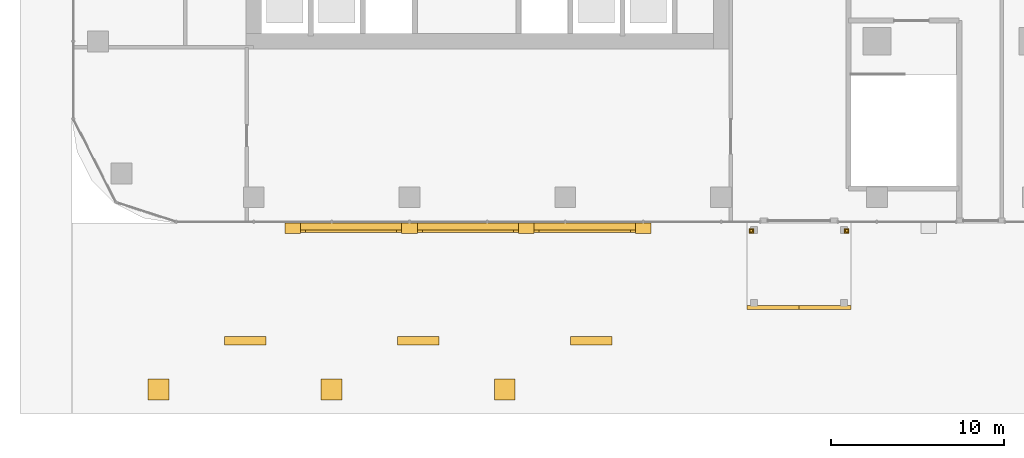
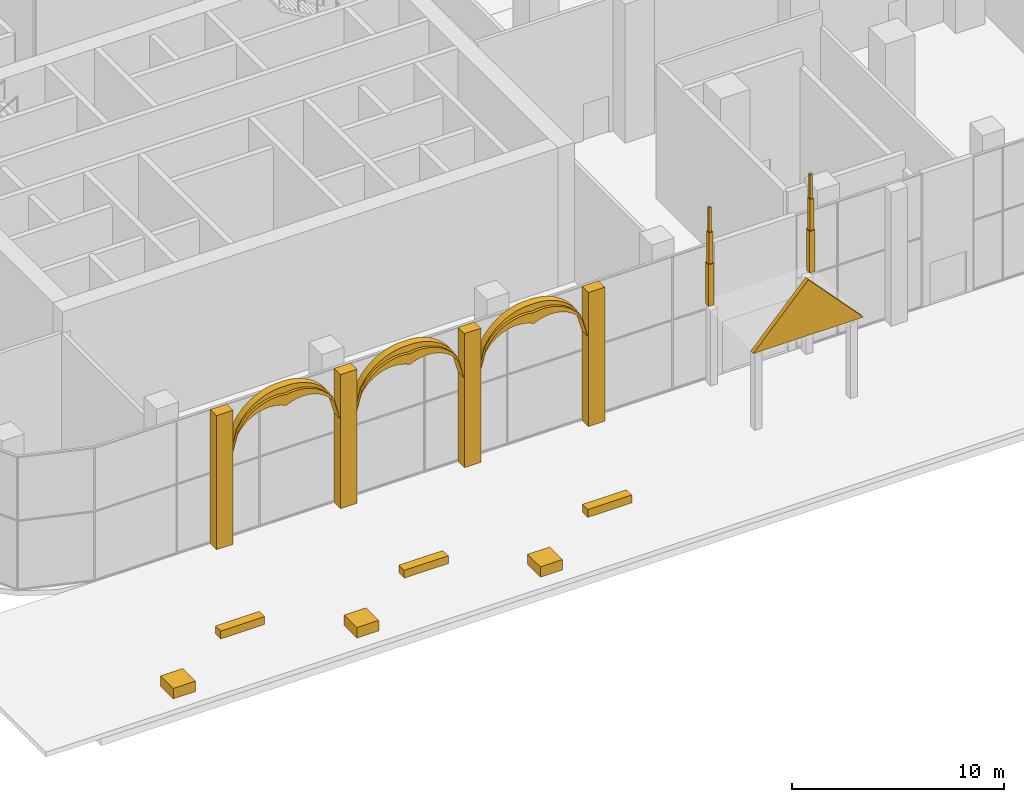
# One storey, part 44 of 54: 23 coverings.
"""IFC4 building model written with IfcOpenShell, lengths in metres."""

import ifcopenshell
import ifcopenshell.guid

model = None  # the IFC model being written
_history = None  # IfcOwnerHistory: only IFC2X3 demands one
_inside = {}  # id of a spatial element -> (the spatial element, [elements in it])
_under = {}  # id of a project, library or spatial element -> (it, [spatial elements below it])
_declared = {}  # id of a project -> (the project, [libraries it declares])
_typed = {}  # id of a type object -> (the type object, [elements of that type])
_made_of = {}  # id of a material, layer set ... -> (it, [elements and type objects made of it])


def new_model(schema):
    """Start an empty IFC model of exactly this schema.

    Asked for "IFC4X3", IfcOpenShell would pick the latest addendum, in which some entities
    have other attributes; the version numbers below select the first issue.
    IFC2X3 requires an IfcOwnerHistory on every rooted entity: one is made here for all.
    """
    global model, _history
    if schema == "IFC4X3":
        model = ifcopenshell.file(schema_version=(4, 3, 0, 0))
    else:
        model = ifcopenshell.file(schema=schema)
    _inside.clear()
    _under.clear()
    _declared.clear()
    _typed.clear()
    _made_of.clear()
    _history = None
    if model.schema == "IFC2X3":
        org = make("IfcOrganization", Name="unknown")
        user = make(
            "IfcPersonAndOrganization",
            ThePerson=make("IfcPerson", FamilyName="unknown"),
            TheOrganization=org,
        )
        app = make(
            "IfcApplication",
            ApplicationDeveloper=org,
            Version="unknown",
            ApplicationFullName="unknown",
            ApplicationIdentifier="unknown",
        )
        _history = make(
            "IfcOwnerHistory",
            OwningUser=user,
            OwningApplication=app,
            ChangeAction="ADDED",
            CreationDate=0,
        )
    return model


def make(cls, **values):
    """One entity of the class cls with the attributes given. An attribute that is None is left unset."""
    return model.create_entity(
        cls, **{name: value for name, value in values.items() if value is not None}
    )


def rooted(cls, **values):
    """An entity with a GlobalId (a new one), such as an element, a storey or a relation."""
    return make(cls, GlobalId=ifcopenshell.guid.new(), OwnerHistory=_history, **values)


def si_unit(unit_type, name, prefix=None):
    """IfcSIUnit, for example si_unit("LENGTHUNIT", "METRE", prefix="MILLI")."""
    return make("IfcSIUnit", UnitType=unit_type, Prefix=prefix, Name=name)


def assignment(units):
    """IfcUnitAssignment: the units of a project."""
    return None if units is None else make("IfcUnitAssignment", Units=units)


def point(xyz):
    """IfcCartesianPoint."""
    return None if xyz is None else make("IfcCartesianPoint", Coordinates=xyz)


def direction(xyz):
    """IfcDirection."""
    return None if xyz is None else make("IfcDirection", DirectionRatios=xyz)


def frame(location, z_axis=None, x_axis=None):
    """IfcAxis2Placement3D, a coordinate frame: its origin and axes. An axis left out is left unset."""
    return make(
        "IfcAxis2Placement3D",
        Location=point(location),
        Axis=direction(z_axis),
        RefDirection=direction(x_axis),
    )


def frame_2d(location, x_axis=None):
    """IfcAxis2Placement2D, a coordinate frame in the plane: its origin and x axis."""
    return make(
        "IfcAxis2Placement2D", Location=point(location), RefDirection=direction(x_axis)
    )


def origin():
    """The frame at (0, 0, 0) with its axes left unset."""
    return frame((0.0, 0.0, 0.0))


def origin_2d():
    """The frame at (0, 0) in the plane with its x axis left unset."""
    return frame_2d((0.0, 0.0))


def place(relative_to, where):
    """IfcLocalPlacement: puts the frame where relative to a parent placement (None: the world)."""
    return make(
        "IfcLocalPlacement", PlacementRelTo=relative_to, RelativePlacement=where
    )


def context(
    kind, dimensions, precision=None, world=None, true_north=None, identifier=None
):
    """IfcGeometricRepresentationContext, for example the 3D "Model" context."""
    return make(
        "IfcGeometricRepresentationContext",
        ContextIdentifier=identifier,
        ContextType=kind,
        CoordinateSpaceDimension=dimensions,
        Precision=precision,
        WorldCoordinateSystem=world,
        TrueNorth=true_north,
    )


def subcontext(parent, identifier, kind, view, scale=None):
    """IfcGeometricRepresentationSubContext, for example "Body" below "Model"."""
    return make(
        "IfcGeometricRepresentationSubContext",
        ContextIdentifier=identifier,
        ContextType=kind,
        ParentContext=parent,
        TargetScale=scale,
        TargetView=view,
    )


def project(units=None, contexts=None):
    """IfcProject with its units and contexts."""
    return rooted(
        "IfcProject",
        Name="project",
        RepresentationContexts=contexts,
        UnitsInContext=assignment(units),
    )


def spatial(cls, under=None, at=None, **own):
    """A site, building, storey or space (cls), placed at a placement, below another one or the project."""
    s = rooted(cls, ObjectPlacement=at, **own)
    if under is not None:
        _under.setdefault(under.id(), (under, []))[1].append(s)
    return s


def polyline(points):
    """IfcPolyline through the points."""
    return make("IfcPolyline", Points=[point(p) for p in points])


def profile(cls, at=None, kind="AREA", **sizes):
    """A parametric profile (cls). Its sizes go by their IFC names, for example OverallWidth=200.0."""
    return make(cls, ProfileType=kind, Position=at, **sizes)


def rectangle(**sizes):
    """IfcRectangleProfileDef."""
    return profile("IfcRectangleProfileDef", **sizes)


def outline(outer, holes=None, kind="AREA"):
    """IfcArbitraryClosedProfileDef: a profile drawn as a closed curve; with holes, ...WithVoids."""
    if holes is None:
        return make("IfcArbitraryClosedProfileDef", ProfileType=kind, OuterCurve=outer)
    return make(
        "IfcArbitraryProfileDefWithVoids",
        ProfileType=kind,
        OuterCurve=outer,
        InnerCurves=holes,
    )


def extrude(swept, where, along, depth):
    """IfcExtrudedAreaSolid: the profile swept, set in the frame where, extruded along a direction by depth."""
    return make(
        "IfcExtrudedAreaSolid",
        SweptArea=swept,
        Position=where,
        ExtrudedDirection=direction(along),
        Depth=depth,
    )


def shape(context_of_items, identifier, shape_type, items):
    """IfcShapeRepresentation: the items that make up one representation, for example the "Body"."""
    return make(
        "IfcShapeRepresentation",
        ContextOfItems=context_of_items,
        RepresentationIdentifier=identifier,
        RepresentationType=shape_type,
        Items=items,
    )


def material(Name=None, Category=None):
    """IfcMaterial."""
    return make("IfcMaterial", Name=Name, Category=Category)


def layer(
    of_material, thickness, ventilated=None, Name=None, Category=None, Priority=None
):
    """IfcMaterialLayer: one layer of a wall or slab, of a material (None: an air gap)."""
    return make(
        "IfcMaterialLayer",
        Material=of_material,
        LayerThickness=thickness,
        IsVentilated=ventilated,
        Name=Name,
        Category=Category,
        Priority=Priority,
    )


def layer_set(layers, Name=None):
    """IfcMaterialLayerSet."""
    return make("IfcMaterialLayerSet", MaterialLayers=layers, LayerSetName=Name)


def made_of(thing, what):
    """Note that an element or type object is made of a material, layer set ...; save() writes the relation."""
    if what is not None:
        _made_of.setdefault(what.id(), (what, []))[1].append(thing)
    return thing


def type_object(cls, material=None, **own):
    """A type object (cls), such as IfcWallType, which elements share."""
    return made_of(rooted(cls, **own), material)


def element(
    cls,
    number,
    at=None,
    inside=None,
    cuts=None,
    type_object=None,
    material=None,
    context=None,
    identifier="Body",
    shape_type=None,
    held_by="IfcProductDefinitionShape",
    body=None,
    shapes=None,
    **own,
):
    """One element of the class cls, such as IfcWall. Its Tag is "e" and its number.

    at: its placement. inside: the storey or other place that contains it. cuts: it is an
    opening in that element (IfcRelVoidsElement). A single representation is given by context,
    identifier, shape_type and body (its items); several are given by shapes. held_by: the class
    of the entity that holds the representations. save() writes the other relations.
    """
    e = rooted(cls, Tag="e%d" % number, ObjectPlacement=at, **own)
    if body is not None:
        shapes = [shape(context, identifier, shape_type, body)]
    if shapes is not None:
        e.Representation = make(held_by, Representations=shapes)
    if inside is not None:
        _inside.setdefault(inside.id(), (inside, []))[1].append(e)
    if cuts is not None:
        rooted(
            "IfcRelVoidsElement", RelatingBuildingElement=cuts, RelatedOpeningElement=e
        )
    if type_object is not None:
        _typed.setdefault(type_object.id(), (type_object, []))[1].append(e)
    return made_of(e, material)


def aggregate(whole, parts):
    """IfcRelAggregates: a whole, such as a stair, and the parts it consists of."""
    return rooted("IfcRelAggregates", RelatingObject=whole, RelatedObjects=parts)


def save(model, path):
    """Write the relations noted so far, then the file.

    IfcRelAggregates (storeys below a building ...), IfcRelContainedInSpatialStructure (elements
    in a storey), IfcRelDefinesByType, IfcRelAssociatesMaterial and IfcRelDeclares: one each for
    every whole, place, type object, material and project.
    """
    for whole, parts in _under.values():
        aggregate(whole, parts)
    for where, things in _inside.values():
        rooted(
            "IfcRelContainedInSpatialStructure",
            RelatedElements=things,
            RelatingStructure=where,
        )
    for kind, things in _typed.values():
        rooted("IfcRelDefinesByType", RelatedObjects=things, RelatingType=kind)
    for what, things in _made_of.values():
        rooted("IfcRelAssociatesMaterial", RelatedObjects=things, RelatingMaterial=what)
    for by, libraries in _declared.values():
        rooted("IfcRelDeclares", RelatingContext=by, RelatedDefinitions=libraries)
    model.write(path)


model = new_model("IFC4")

# Units and contexts
model_context = context("Model", 3, precision=1e-05, world=origin(), true_north=direction((0.0, 1.0)))
body_context = subcontext(model_context, "Body", "Model", "MODEL_VIEW")
ifc_project = project(units=[si_unit("LENGTHUNIT", "METRE"), si_unit("AREAUNIT", "SQUARE_METRE"), si_unit("VOLUMEUNIT", "CUBIC_METRE"), si_unit("PLANEANGLEUNIT", "RADIAN"), si_unit("MASSUNIT", "GRAM", prefix="KILO")], contexts=[model_context])

# Site, building, storey
site_placement = place(None, origin())
site = spatial("IfcSite", under=ifc_project, at=site_placement, CompositionType="ELEMENT")
building_placement = place(site_placement, origin())
building = spatial("IfcBuilding", under=site, at=building_placement, Name="Ogive Portal Towers", CompositionType="ELEMENT")
storey_placement = place(building_placement, origin())
storey = spatial("IfcBuildingStorey", under=building, at=storey_placement, Name="L00", CompositionType="ELEMENT", Elevation=0.0)

# Coverings
ifc_material = material(Name="Limestone cladding on lightweight block wall", Category="masonry")
ifc_layer_1 = layer(ifc_material, 0.139892578125)
ifc_layer_set_1 = layer_set([ifc_layer_1], Name="CROWN PINNACLE FINIAL STONE")
covering_type_1 = type_object("IfcCoveringType", Name="CROWN PINNACLE FINIAL STONE", PredefinedType="CLADDING", material=ifc_layer_set_1)
for number, where, z_axis, x_axis, name in (
    (1, (60.25, 10.550048828125, 8.800048828125), (0.0, 0.0, 1.0), (1.0, 0.0, 0.0), "PINNACLE"),
    (2, (65.75, 10.550048828125, 8.800048828125), (0.0, 0.0, 1.0), (1.0, 0.0, 0.0), "PINNACLE"),
):
    element("IfcCovering", number, at=place(storey_placement, frame(where, z_axis=z_axis, x_axis=x_axis)), inside=storey, type_object=covering_type_1, Name=name, PredefinedType="CLADDING", context=body_context, shape_type="SweptSolid", body=[
        extrude(rectangle(XDim=0.139892578125, YDim=0.139892578125, at=origin_2d()), origin(), (0.0, 0.0, 1.0), 1.39990234375),
    ])
ifc_layer_2 = layer(ifc_material, 0.219970703125)
ifc_layer_set_2 = layer_set([ifc_layer_2], Name="CROWN PINNACLE MID STONE")
covering_type_2 = type_object("IfcCoveringType", Name="CROWN PINNACLE MID STONE", PredefinedType="CLADDING", material=ifc_layer_set_2)
for number, where, z_axis, x_axis, name in (
    (3, (60.25, 10.550048828125, 7.0), (0.0, 0.0, 1.0), (1.0, 0.0, 0.0), "PINNACLE"),
    (4, (65.75, 10.550048828125, 7.0), (0.0, 0.0, 1.0), (1.0, 0.0, 0.0), "PINNACLE"),
):
    element("IfcCovering", number, at=place(storey_placement, frame(where, z_axis=z_axis, x_axis=x_axis)), inside=storey, type_object=covering_type_2, Name=name, PredefinedType="CLADDING", context=body_context, shape_type="SweptSolid", body=[
        extrude(rectangle(XDim=0.219970703125, YDim=0.219970703125, at=origin_2d()), origin(), (0.0, 0.0, 1.0), 1.800048828125),
    ])
ifc_layer_3 = layer(ifc_material, 0.300048828125)
ifc_layer_set_3 = layer_set([ifc_layer_3], Name="CROWN PINNACLE SHAFT STONE")
covering_type_3 = type_object("IfcCoveringType", Name="CROWN PINNACLE SHAFT STONE", PredefinedType="CLADDING", material=ifc_layer_set_3)
for number, where, z_axis, x_axis, name in (
    (5, (60.25, 10.550048828125, 4.60009765625), (0.0, 0.0, 1.0), (1.0, 0.0, 0.0), "PINNACLE"),
    (6, (65.75, 10.550048828125, 4.60009765625), (0.0, 0.0, 1.0), (1.0, 0.0, 0.0), "PINNACLE"),
):
    element("IfcCovering", number, at=place(storey_placement, frame(where, z_axis=z_axis, x_axis=x_axis)), inside=storey, type_object=covering_type_3, Name=name, PredefinedType="CLADDING", context=body_context, shape_type="SweptSolid", body=[
        extrude(rectangle(XDim=0.300048828125, YDim=0.300048828125, at=origin_2d()), origin(), (0.0, 0.0, 1.0), 2.39990234375),
    ])
ifc_layer_4 = layer(ifc_material, 0.449951171875)
ifc_layer_set_4 = layer_set([ifc_layer_4], Name="PLAZA BENCH STONE")
covering_type_4 = type_object("IfcCoveringType", Name="PLAZA BENCH STONE", PredefinedType="CLADDING", material=ifc_layer_set_4)
for number, where, z_axis, x_axis, name in (
    (7, (31.0, 4.199951171875, -0.02001953125), (0.0, 0.0, 1.0), (1.0, 0.0, 0.0), "PLAZA BENCH"),
    (8, (41.0, 4.199951171875, -0.02001953125), (0.0, 0.0, 1.0), (1.0, 0.0, 0.0), "PLAZA BENCH"),
    (9, (51.0, 4.199951171875, -0.02001953125), (0.0, 0.0, 1.0), (1.0, 0.0, 0.0), "PLAZA BENCH"),
):
    element("IfcCovering", number, at=place(storey_placement, frame(where, z_axis=z_axis, x_axis=x_axis)), inside=storey, type_object=covering_type_4, Name=name, PredefinedType="CLADDING", context=body_context, shape_type="SweptSolid", body=[
        extrude(rectangle(XDim=2.39990234375, YDim=0.5, at=origin_2d()), origin(), (0.0, 0.0, 1.0), 0.449951171875),
    ])
ifc_layer_5 = layer(ifc_material, 0.60009765625)
ifc_layer_set_5 = layer_set([ifc_layer_5], Name="PLAZA PLANTER STONE")
covering_type_5 = type_object("IfcCoveringType", Name="PLAZA PLANTER STONE", PredefinedType="CLADDING", material=ifc_layer_set_5)
for number, where, z_axis, x_axis, name in (
    (10, (26.0, 1.39990234375, -0.02001953125), (0.0, 0.0, 1.0), (1.0, 0.0, 0.0), "PLAZA PLANTER"),
    (11, (36.0, 1.39990234375, -0.02001953125), (0.0, 0.0, 1.0), (1.0, 0.0, 0.0), "PLAZA PLANTER"),
    (12, (46.0, 1.39990234375, -0.02001953125), (0.0, 0.0, 1.0), (1.0, 0.0, 0.0), "PLAZA PLANTER"),
):
    element("IfcCovering", number, at=place(storey_placement, frame(where, z_axis=z_axis, x_axis=x_axis)), inside=storey, type_object=covering_type_5, Name=name, PredefinedType="CLADDING", context=body_context, shape_type="SweptSolid", body=[
        extrude(rectangle(XDim=1.199951171875, YDim=1.199951171875, at=origin_2d()), origin(), (0.0, 0.0, 1.0), 0.60009765625),
    ])
ifc_layer_6 = layer(ifc_material, 0.25)
ifc_layer_set_6 = layer_set([ifc_layer_6], Name="PORCH GABLE STONE")
covering_type_6 = type_object("IfcCoveringType", Name="PORCH GABLE STONE", PredefinedType="CLADDING", material=ifc_layer_set_6)
covering_1_placement = place(storey_placement, frame((60.0, 6.0, 4.60009765625), z_axis=(0.0, -1.0, 0.0), x_axis=(1.0, 0.0, 0.0)))
element("IfcCovering", 13, at=covering_1_placement, inside=storey, type_object=covering_type_6, Name="PORCH GABLE 1", PredefinedType="CLADDING", context=body_context, shape_type="SweptSolid", body=[
    extrude(outline(polyline([(0.0, 0.0), (6.0, 0.0), (3.0, 3.199951171875), (0.0, 0.0)])), origin(), (0.0, 0.0, -1.0), 0.25),
])
ifc_layer_7 = layer(ifc_material, 0.39990234375)
ifc_layer_set_7 = layer_set([ifc_layer_7], Name="SHOPFRONT HOOD STONE")
covering_type_7 = type_object("IfcCoveringType", Name="SHOPFRONT HOOD STONE", PredefinedType="CLADDING", material=ifc_layer_set_7)
covering_2_placement = place(storey_placement, frame((34.199951171875, 10.449951171875, 5.14990234375), z_axis=(0.0, -1.0, 0.0), x_axis=(0.270542835969, 0.0, 0.962707938009)))
element("IfcCovering", 14, at=covering_2_placement, inside=storey, type_object=covering_type_7, Name="SHOPFRONT HOOD", PredefinedType="CLADDING", context=body_context, shape_type="SweptSolid", body=[
    extrude(outline(polyline([(0.0, 0.0), (1.0810874651425575, 5.551115123125783e-17), (1.5179409317296326, -0.18104441244885472), (1.8295201475943172, -0.3972937398321276), (2.0666589646521287, -0.6347161109019537), (2.2482632074408624, -0.8874913631608982), (2.3833302989293457, -1.1533446138382573), (2.4760908892357834, -1.4310869539869018), (2.5272500867132095, -1.7205202321156436), (2.5349276024202005, -2.0221728522009847), (2.4939526417678386, -2.3374979251783046), (2.6931845933824246, -2.585319390157547), (2.843764068637658, -2.8468133080287674), (2.950861862122456, -3.1205265678565874), (3.016358262778242, -3.405930765664505), (3.0395481622519824, -3.7032240529437077), (3.0162009104254732, -4.013595338641325), (2.937451185324011, -4.339789577763417), (2.784128960421551, -4.686686788336706), (2.5055324847966998, -5.068788913844413), (1.5827020106163663, -5.631935451800976), (1.5827020106163663, -5.631935451800976), (2.620700182458935, -5.036424170283691), (2.953119929032055, -4.639196480948626), (3.152744269117087, -4.279287322453986), (3.2756807843420193, -3.940675589884107), (3.3439199346450326, -3.617688659247514), (3.367737258706898, -3.3071852725557718), (3.353008659469566, -3.0075141673823116), (3.3032596786982085, -2.717684586271193), (3.2196654969812135, -2.4373662767371034), (3.1019910782009044, -2.166625289277105), (3.0614085060189895, -1.8742197387805413), (2.98674569677376, -1.5913915103580694), (2.878237686582894, -1.3180745535126257), (2.7347092948580016, -1.0545991207295238), (2.552634979833912, -0.8019559694647045), (2.3261388385686748, -0.5617963621447352), (2.0448132313873932, -0.33679148452269636), (1.6869319003401366, -0.13355410506077497), (1.1962551628047926, 0.032364743560722), (0.0, 0.0), (0.0, 0.0)])), origin(), (0.0, 0.0, -1.0), 0.550048828125),
])
covering_3_placement = place(storey_placement, frame((34.199951171875, 10.60009765625, 5.14990234375), z_axis=(0.0, -1.0, 0.0), x_axis=(0.244407290573, 0.0, 0.969672664519)))
element("IfcCovering", 15, at=covering_3_placement, inside=storey, type_object=covering_type_7, Name="SHOPFRONT HOOD", PredefinedType="CLADDING", context=body_context, shape_type="SweptSolid", body=[
    extrude(outline(polyline([(0.0, 0.0), (1.1966928975985747, 0.0), (1.682702851133403, -0.17912858552248423), (2.034956687614262, -0.3919705790463688), (2.3100940979861075, -0.6245016471286788), (2.5300122363551636, -0.8706990301619134), (2.705187178045988, -1.1281739956947314), (2.841537335317608, -1.3954348000102568), (2.942613755525438, -1.6715863968783637), (3.009600121121282, -1.9563304375556774), (3.04225969561478, -2.249726591790872), (3.1525688389466895, -2.5235510684606526), (3.228551191176252, -2.806027658688314), (3.2704434887938296, -3.0970966927251817), (3.2770620493476166, -3.397056519314632), (3.2448558254821993, -3.706802184686789), (3.1679064049385506, -4.027825432558529), (3.0358570518894625, -4.362988468361917), (2.8265719332340105, -4.7173671057430075), (2.483530697524589, -5.1054591511254985), (1.4298065177514216, -5.672679782030474), (1.4298065177514216, -5.672679782030474), (2.5659149961702195, -5.084694078586583), (2.9468340703374025, -4.687054873416085), (3.1880786151915905, -4.324620819963863), (3.3501935025165266, -3.9818797260787453), (3.4560247748842183, -3.653576768868649), (3.517823060044762, -3.3363723849121114), (3.5424537162186276, -3.0285361514975557), (3.5337045272515915, -2.729113352646181), (3.4941795945376235, -2.437447621122563), (3.424352391057447, -2.15341961742935), (3.3512108767122166, -1.8702269902175876), (3.2477670916007773, -1.594672090836231), (3.113547562742406, -1.3268742587826305), (2.9459481887431336, -1.067489861292211), (2.7411811857571826, -0.8174736143437735), (2.4923811955640836, -0.5785559406488944), (2.18717825091639, -0.353602930648315), (1.802964988236795, -0.14881635319556152), (1.2790771962442053, 0.020765072538915574), (0.0, 0.0), (0.0, 0.0)])), origin(), (0.0, 0.0, -1.0), 0.39990234375),
])
covering_4_placement = place(storey_placement, frame((40.949951171875, 10.449951171875, 5.14990234375), z_axis=(0.0, -1.0, 0.0), x_axis=(0.270542835969, 0.0, 0.962707938009)))
element("IfcCovering", 16, at=covering_4_placement, inside=storey, type_object=covering_type_7, Name="SHOPFRONT HOOD", PredefinedType="CLADDING", context=body_context, shape_type="SweptSolid", body=[
    extrude(outline(polyline([(0.0, 0.0), (1.0810874651425575, 5.551115123125783e-17), (1.5179409317296326, -0.18104441244885472), (1.8295201475943172, -0.3972937398321276), (2.0666589646521287, -0.6347161109019537), (2.2482632074408624, -0.8874913631608982), (2.3833302989293457, -1.1533446138382573), (2.4760908892357834, -1.4310869539869018), (2.5272500867132095, -1.7205202321156436), (2.5349276024202005, -2.0221728522009847), (2.4939526417678386, -2.3374979251783046), (2.6931845933824246, -2.585319390157547), (2.843764068637658, -2.8468133080287674), (2.950861862122456, -3.1205265678565874), (3.016358262778242, -3.405930765664505), (3.0395481622519824, -3.7032240529437077), (3.0162009104254732, -4.013595338641325), (2.937451185324011, -4.339789577763417), (2.784128960421551, -4.686686788336706), (2.5055324847966998, -5.068788913844413), (1.5827020106163663, -5.631935451800976), (1.5827020106163663, -5.631935451800976), (2.620700182458935, -5.036424170283691), (2.953119929032055, -4.639196480948626), (3.152744269117087, -4.279287322453986), (3.2756807843420193, -3.940675589884107), (3.3439199346450326, -3.617688659247514), (3.367737258706898, -3.3071852725557718), (3.353008659469566, -3.0075141673823116), (3.3032596786982085, -2.717684586271193), (3.2196654969812135, -2.4373662767371034), (3.1019910782009044, -2.166625289277105), (3.0614085060189895, -1.8742197387805413), (2.98674569677376, -1.5913915103580694), (2.878237686582894, -1.3180745535126257), (2.7347092948580016, -1.0545991207295238), (2.552634979833912, -0.8019559694647045), (2.3261388385686748, -0.5617963621447352), (2.0448132313873932, -0.33679148452269636), (1.6869319003401366, -0.13355410506077497), (1.1962551628047926, 0.032364743560722), (0.0, 0.0), (0.0, 0.0)])), origin(), (0.0, 0.0, -1.0), 0.550048828125),
])
covering_5_placement = place(storey_placement, frame((40.949951171875, 10.60009765625, 5.14990234375), z_axis=(0.0, -1.0, 0.0), x_axis=(0.244407290573, 0.0, 0.969672664519)))
element("IfcCovering", 17, at=covering_5_placement, inside=storey, type_object=covering_type_7, Name="SHOPFRONT HOOD", PredefinedType="CLADDING", context=body_context, shape_type="SweptSolid", body=[
    extrude(outline(polyline([(0.0, 0.0), (1.1966928975985747, 0.0), (1.682702851133403, -0.17912858552248423), (2.034956687614262, -0.3919705790463688), (2.3100940979861075, -0.6245016471286788), (2.5300122363551636, -0.8706990301619134), (2.705187178045988, -1.1281739956947314), (2.841537335317608, -1.3954348000102568), (2.942613755525438, -1.6715863968783637), (3.009600121121282, -1.9563304375556774), (3.04225969561478, -2.249726591790872), (3.1525688389466895, -2.5235510684606526), (3.228551191176252, -2.806027658688314), (3.2704434887938296, -3.0970966927251817), (3.2770620493476166, -3.397056519314632), (3.2448558254821993, -3.706802184686789), (3.1679064049385506, -4.027825432558529), (3.0358570518894625, -4.362988468361917), (2.8265719332340105, -4.7173671057430075), (2.483530697524589, -5.1054591511254985), (1.4298065177514216, -5.672679782030474), (1.4298065177514216, -5.672679782030474), (2.5659149961702195, -5.084694078586583), (2.9468340703374025, -4.687054873416085), (3.1880786151915905, -4.324620819963863), (3.3501935025165266, -3.9818797260787453), (3.4560247748842183, -3.653576768868649), (3.517823060044762, -3.3363723849121114), (3.5424537162186276, -3.0285361514975557), (3.5337045272515915, -2.729113352646181), (3.4941795945376235, -2.437447621122563), (3.424352391057447, -2.15341961742935), (3.3512108767122166, -1.8702269902175876), (3.2477670916007773, -1.594672090836231), (3.113547562742406, -1.3268742587826305), (2.9459481887431336, -1.067489861292211), (2.7411811857571826, -0.8174736143437735), (2.4923811955640836, -0.5785559406488944), (2.18717825091639, -0.353602930648315), (1.802964988236795, -0.14881635319556152), (1.2790771962442053, 0.020765072538915574), (0.0, 0.0), (0.0, 0.0)])), origin(), (0.0, 0.0, -1.0), 0.39990234375),
])
covering_6_placement = place(storey_placement, frame((47.699951171875, 10.449951171875, 5.14990234375), z_axis=(0.0, -1.0, 0.0), x_axis=(0.270542835969, 0.0, 0.962707938009)))
element("IfcCovering", 18, at=covering_6_placement, inside=storey, type_object=covering_type_7, Name="SHOPFRONT HOOD", PredefinedType="CLADDING", context=body_context, shape_type="SweptSolid", body=[
    extrude(outline(polyline([(0.0, 0.0), (1.0810874651425575, 5.551115123125783e-17), (1.5179409317296326, -0.18104441244885472), (1.8295201475943172, -0.3972937398321276), (2.0666589646521287, -0.6347161109019537), (2.2482632074408624, -0.8874913631608982), (2.3833302989293457, -1.1533446138382573), (2.4760908892357834, -1.4310869539869018), (2.5272500867132095, -1.7205202321156436), (2.5349276024202005, -2.0221728522009847), (2.4939526417678386, -2.3374979251783046), (2.6931845933824246, -2.585319390157547), (2.843764068637658, -2.8468133080287674), (2.950861862122456, -3.1205265678565874), (3.016358262778242, -3.405930765664505), (3.0395481622519824, -3.7032240529437077), (3.0162009104254732, -4.013595338641325), (2.937451185324011, -4.339789577763417), (2.784128960421551, -4.686686788336706), (2.5055324847966998, -5.068788913844413), (1.5827020106163663, -5.631935451800976), (1.5827020106163663, -5.631935451800976), (2.620700182458935, -5.036424170283691), (2.953119929032055, -4.639196480948626), (3.152744269117087, -4.279287322453986), (3.2756807843420193, -3.940675589884107), (3.3439199346450326, -3.617688659247514), (3.367737258706898, -3.3071852725557718), (3.353008659469566, -3.0075141673823116), (3.3032596786982085, -2.717684586271193), (3.2196654969812135, -2.4373662767371034), (3.1019910782009044, -2.166625289277105), (3.0614085060189895, -1.8742197387805413), (2.98674569677376, -1.5913915103580694), (2.878237686582894, -1.3180745535126257), (2.7347092948580016, -1.0545991207295238), (2.552634979833912, -0.8019559694647045), (2.3261388385686748, -0.5617963621447352), (2.0448132313873932, -0.33679148452269636), (1.6869319003401366, -0.13355410506077497), (1.1962551628047926, 0.032364743560722), (0.0, 0.0), (0.0, 0.0)])), origin(), (0.0, 0.0, -1.0), 0.550048828125),
])
covering_7_placement = place(storey_placement, frame((47.699951171875, 10.60009765625, 5.14990234375), z_axis=(0.0, -1.0, 0.0), x_axis=(0.244407290573, 0.0, 0.969672664519)))
element("IfcCovering", 19, at=covering_7_placement, inside=storey, type_object=covering_type_7, Name="SHOPFRONT HOOD", PredefinedType="CLADDING", context=body_context, shape_type="SweptSolid", body=[
    extrude(outline(polyline([(0.0, 0.0), (1.1966928975985747, 0.0), (1.682702851133403, -0.17912858552248423), (2.034956687614262, -0.3919705790463688), (2.3100940979861075, -0.6245016471286788), (2.5300122363551636, -0.8706990301619134), (2.705187178045988, -1.1281739956947314), (2.841537335317608, -1.3954348000102568), (2.942613755525438, -1.6715863968783637), (3.009600121121282, -1.9563304375556774), (3.04225969561478, -2.249726591790872), (3.1525688389466895, -2.5235510684606526), (3.228551191176252, -2.806027658688314), (3.2704434887938296, -3.0970966927251817), (3.2770620493476166, -3.397056519314632), (3.2448558254821993, -3.706802184686789), (3.1679064049385506, -4.027825432558529), (3.0358570518894625, -4.362988468361917), (2.8265719332340105, -4.7173671057430075), (2.483530697524589, -5.1054591511254985), (1.4298065177514216, -5.672679782030474), (1.4298065177514216, -5.672679782030474), (2.5659149961702195, -5.084694078586583), (2.9468340703374025, -4.687054873416085), (3.1880786151915905, -4.324620819963863), (3.3501935025165266, -3.9818797260787453), (3.4560247748842183, -3.653576768868649), (3.517823060044762, -3.3363723849121114), (3.5424537162186276, -3.0285361514975557), (3.5337045272515915, -2.729113352646181), (3.4941795945376235, -2.437447621122563), (3.424352391057447, -2.15341961742935), (3.3512108767122166, -1.8702269902175876), (3.2477670916007773, -1.594672090836231), (3.113547562742406, -1.3268742587826305), (2.9459481887431336, -1.067489861292211), (2.7411811857571826, -0.8174736143437735), (2.4923811955640836, -0.5785559406488944), (2.18717825091639, -0.353602930648315), (1.802964988236795, -0.14881635319556152), (1.2790771962442053, 0.020765072538915574), (0.0, 0.0), (0.0, 0.0)])), origin(), (0.0, 0.0, -1.0), 0.39990234375),
])
ifc_layer_8 = layer(ifc_material, 0.60009765625)
ifc_layer_set_8 = layer_set([ifc_layer_8], Name="SHOPFRONT PIER STONE")
covering_type_8 = type_object("IfcCoveringType", Name="SHOPFRONT PIER STONE", PredefinedType="CLADDING", material=ifc_layer_set_8)
for number, where, z_axis, x_axis, name in (
    (20, (33.75, 10.699951171875, -0.02001953125), (0.0, 0.0, 1.0), (1.0, 0.0, 0.0), "SHOPFRONT PIER"),
    (21, (40.5, 10.699951171875, -0.02001953125), (0.0, 0.0, 1.0), (1.0, 0.0, 0.0), "SHOPFRONT PIER"),
    (22, (47.25, 10.699951171875, -0.02001953125), (0.0, 0.0, 1.0), (1.0, 0.0, 0.0), "SHOPFRONT PIER"),
    (23, (54.0, 10.699951171875, -0.02001953125), (0.0, 0.0, 1.0), (1.0, 0.0, 0.0), "SHOPFRONT PIER"),
):
    element("IfcCovering", number, at=place(storey_placement, frame(where, z_axis=z_axis, x_axis=x_axis)), inside=storey, type_object=covering_type_8, Name=name, PredefinedType="CLADDING", context=body_context, shape_type="SweptSolid", body=[
        extrude(rectangle(XDim=0.89990234375, YDim=0.60009765625, at=origin_2d()), origin(), (0.0, 0.0, 1.0), 7.719970703125),
    ])

save(model, "model.ifc")
